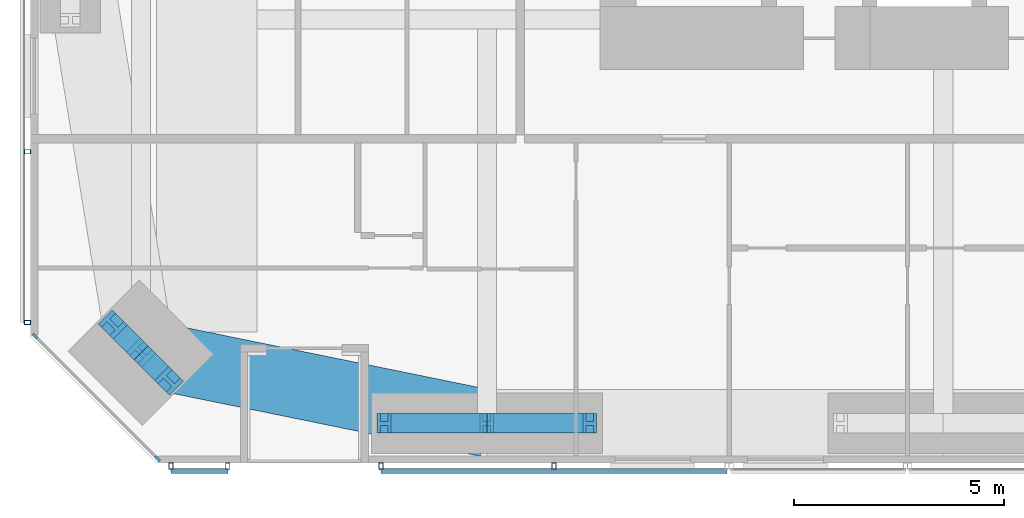
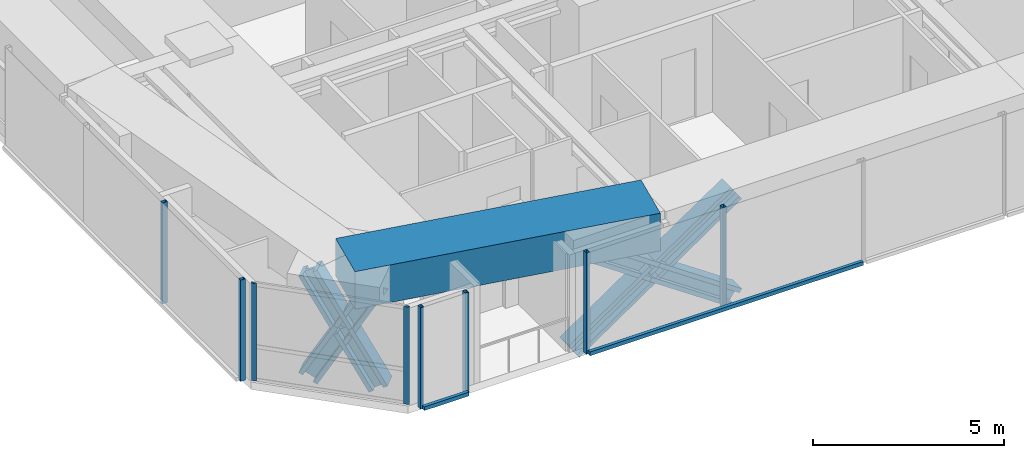
# One storey, part 2 of 23: 18 members, 1 beam, 4 elements without a shape of their own.
"""IFC4 building model written with IfcOpenShell, lengths in metres."""

from ifc_helpers import new_model, si_unit, direction, frame, origin, origin_2d, place, context, subcontext, project, spatial, rectangle, hollow_rectangle, i_section, extrude, material, material_profile, profile_set, type_object, element, aggregate, save


model = new_model("IFC4")

# Units and contexts
model_context = context("Model", 3, precision=1e-05, world=origin(), true_north=direction((0.0, 1.0)))
body_context = subcontext(model_context, "Body", "Model", "MODEL_VIEW")
ifc_project = project(units=[si_unit("LENGTHUNIT", "METRE"), si_unit("AREAUNIT", "SQUARE_METRE"), si_unit("VOLUMEUNIT", "CUBIC_METRE"), si_unit("PLANEANGLEUNIT", "RADIAN"), si_unit("MASSUNIT", "GRAM", prefix="KILO")], contexts=[model_context])

# Site, building, storey
site_placement = place(None, origin())
site = spatial("IfcSite", under=ifc_project, at=site_placement, CompositionType="ELEMENT")
building_placement = place(site_placement, origin())
building = spatial("IfcBuilding", under=site, at=building_placement, Name="Jalousie Tower", CompositionType="ELEMENT")
storey_placement = place(building_placement, frame((0.0, 0.0, 121.60009765625)))
storey = spatial("IfcBuildingStorey", under=building, at=storey_placement, Name="L33", CompositionType="ELEMENT", Elevation=121.60009765625)

# Curtain wall, members
ifc_material_1 = material(Name="Aluminium curtain wall", Category="aluminium")
curtain_wall_type_1 = type_object("IfcCurtainWallType", Name="CORNER WINDOW WALL", PredefinedType="USERDEFINED", material=ifc_material_1)
curtain_wall_1_placement = place(storey_placement, origin())
curtain_wall_1 = element("IfcCurtainWall", 1, at=curtain_wall_1_placement, inside=storey, type_object=curtain_wall_type_1, Name="Corner Window Wall L33 8", ObjectType="CORNER WINDOW WALL", PredefinedType="USERDEFINED")
ifc_material_2 = material(Name="Aluminium mullion", Category="aluminium")
ifc_material_profile_1 = material_profile(ifc_material_2, rectangle(XDim=0.06005859375, YDim=0.14990234375, at=origin_2d()), Name="MULLION 60x150")
ifc_profile_set_1 = profile_set([ifc_material_profile_1], Name="Aluminium mullion")
member_type_1 = type_object("IfcMemberType", Name="CORNER WINDOW WALL MULLION", PredefinedType="MULLION", material=ifc_profile_set_1)
member_1_placement = place(storey_placement, frame((6.108642578125, 3.030029296875, 0.0), z_axis=(0.0, 0.0, 1.0), x_axis=(0.707106781187, 0.707106781187, 0.0)))
member_1 = element("IfcMember", 2, at=member_1_placement, type_object=member_type_1, Name="CW-C mullion 1", PredefinedType="MULLION", context=body_context, shape_type="SweptSolid", body=[
    extrude(rectangle(XDim=0.06005859375, YDim=0.14990234375, at=origin_2d()), origin(), (0.0, 0.0, 1.0), 3.10986328125),
])
member_2_placement = place(storey_placement, frame((9.030029296875, 0.108642578125, 0.0), z_axis=(0.0, 0.0, 1.0), x_axis=(0.707106781187, 0.707106781187, 0.0)))
member_2 = element("IfcMember", 3, at=member_2_placement, type_object=member_type_1, Name="CW-C mullion 2", PredefinedType="MULLION", context=body_context, shape_type="SweptSolid", body=[
    extrude(rectangle(XDim=0.06005859375, YDim=0.14990234375, at=origin_2d()), origin(), (0.0, 0.0, 1.0), 3.10986328125),
])
aggregate(curtain_wall_1, [member_1, member_2])

# Members
ifc_material_3 = material(Name="Steel ASTM A992 Grade 50", Category="steel")
ifc_material_profile_2 = material_profile(ifc_material_3, i_section(OverallWidth=0.472412109375, OverallDepth=0.5791015625, WebThickness=0.094970703125, FlangeThickness=0.1298828125, at=origin_2d()), Name="W14X808")
ifc_profile_set_2 = profile_set([ifc_material_profile_2], Name="Steel ASTM A992 Grade 50")
member_type_2 = type_object("IfcMemberType", Name="PERIMETER BRACE W14X808", PredefinedType="BRACE", material=ifc_profile_set_2)
for number, where, z_axis, x_axis, name in (
    (4, (7.959716796875, 3.302978515625, -0.60009765625), (0.348789058631, -0.348789058631, 0.869880672943), (0.707106781187, 0.707106781187, 0.0), "Perimeter brace 01 L33 part 1"),
    (5, (8.63134765625, 2.63134765625, 1.074951171875), (0.348789058631, -0.348789058631, 0.869880672943), (0.707106781187, 0.707106781187, 0.0), "Perimeter brace 01 L33 part 2"),
    (6, (9.302978515625, 1.959716796875, -0.60009765625), (-0.348789058631, 0.348789058631, 0.869880672943), (-0.707106781187, -0.707106781187, 0.0), "Perimeter brace 01 L33 part 3"),
    (7, (8.63134765625, 2.63134765625, 1.074951171875), (-0.348789058631, 0.348789058631, 0.869880672943), (-0.707106781187, -0.707106781187, 0.0), "Perimeter brace 01 L33 part 4"),
):
    element("IfcMember", number, at=place(storey_placement, frame(where, z_axis=z_axis, x_axis=x_axis)), inside=storey, type_object=member_type_2, Name=name, PredefinedType="BRACE", context=body_context, shape_type="SweptSolid", body=[
        extrude(i_section(OverallWidth=0.472412109375, OverallDepth=0.5791015625, WebThickness=0.094970703125, FlangeThickness=0.1298828125, at=origin_2d()), origin(), (0.0, 0.0, 1.0), 1.925537109375),
    ])
for number, where, z_axis, x_axis, name in (
    (8, (14.425048828125, 0.949951171875, -0.60009765625), (0.825500916831, 0.0, 0.564400776321), (0.0, 1.0, 0.0), "Perimeter brace 02 L33 part 1"),
    (9, (16.875, 0.949951171875, 1.074951171875), (0.825500916831, 0.0, 0.564400776321), (0.0, 1.0, 0.0), "Perimeter brace 02 L33 part 2"),
    (10, (19.324951171875, 0.949951171875, -0.60009765625), (-0.825500916831, 0.0, 0.564400776321), (0.0, -1.0, 0.0), "Perimeter brace 02 L33 part 3"),
    (11, (16.875, 0.949951171875, 1.074951171875), (-0.825500916831, 0.0, 0.564400776321), (0.0, -1.0, 0.0), "Perimeter brace 02 L33 part 4"),
):
    element("IfcMember", number, at=place(storey_placement, frame(where, z_axis=z_axis, x_axis=x_axis)), inside=storey, type_object=member_type_2, Name=name, PredefinedType="BRACE", context=body_context, shape_type="SweptSolid", body=[
        extrude(i_section(OverallWidth=0.472412109375, OverallDepth=0.5791015625, WebThickness=0.094970703125, FlangeThickness=0.1298828125, at=origin_2d()), origin(), (0.0, 0.0, 1.0), 2.9677734375),
    ])

# Beam
ifc_material_4 = material(Name="Concrete f'c 40 MPa", Category="concrete")
ifc_material_profile_3 = material_profile(ifc_material_4, rectangle(XDim=1.60009765625, YDim=1.199951171875, at=origin_2d()), Name="RC 1600x1200")
ifc_profile_set_3 = profile_set([ifc_material_profile_3], Name="Concrete f'c 40 MPa")
beam_type = type_object("IfcBeamType", Name="RC BEAM 1600x1200", PredefinedType="BEAM", material=ifc_profile_set_3)
beam_placement = place(storey_placement, frame((8.63134765625, 2.63134765625, 2.75), z_axis=(0.97982690954, -0.199848010602, 0.0), x_axis=(0.199848010602, 0.97982690954, 0.0)))
element("IfcBeam", 12, at=beam_placement, inside=storey, type_object=beam_type, Name="Edge band beam 01-02 under L34", PredefinedType="BEAM", context=body_context, shape_type="SweptSolid", body=[
    extrude(rectangle(XDim=1.60009765625, YDim=1.199951171875, at=origin_2d()), origin(), (0.0, 0.0, 1.0), 8.413330078125),
])

# Curtain wall, members
ifc_material_5 = material(Name="Perforated aluminium sheet", Category="aluminium")
curtain_wall_type_2 = type_object("IfcCurtainWallType", Name="SOLAR SCREEN SS-1", PredefinedType="USERDEFINED", material=ifc_material_5)
curtain_wall_2_placement = place(storey_placement, origin())
curtain_wall_2 = element("IfcCurtainWall", 13, at=curtain_wall_2_placement, inside=storey, type_object=curtain_wall_type_2, Name="Solar screen L33", ObjectType="SOLAR SCREEN SS-1", PredefinedType="USERDEFINED")
ifc_material_6 = material(Name="Steel ASTM A500 Grade C", Category="steel")
ifc_material_profile_4 = material_profile(ifc_material_6, hollow_rectangle(XDim=0.1015625, YDim=0.15234375, WallThickness=0.00634765625, at=origin_2d()), Name="HSS6X4X1/4")
ifc_profile_set_4 = profile_set([ifc_material_profile_4], Name="Steel ASTM A500 Grade C")
member_type_3 = type_object("IfcMemberType", Name="SOLAR SCREEN SS-1 MULLION", PredefinedType="MULLION", material=ifc_profile_set_4)
member_3_placement = place(storey_placement, frame((9.351318359375, -0.0712890625, -0.1201171875), z_axis=(0.0, 0.0, 1.0), x_axis=(1.0, 0.0, 0.0)))
member_3 = element("IfcMember", 14, at=member_3_placement, type_object=member_type_3, Name="SS1 post 1", PredefinedType="MULLION", context=body_context, shape_type="SweptSolid", body=[
    extrude(hollow_rectangle(XDim=0.1015625, YDim=0.15234375, WallThickness=0.00634765625, at=origin_2d()), origin(), (0.0, 0.0, 1.0), 3.22998046875),
])
member_4_placement = place(storey_placement, frame((10.701416015625, -0.0712890625, -0.1201171875), z_axis=(0.0, 0.0, 1.0), x_axis=(1.0, 0.0, 0.0)))
member_4 = element("IfcMember", 15, at=member_4_placement, type_object=member_type_3, Name="SS1 post 2", PredefinedType="MULLION", context=body_context, shape_type="SweptSolid", body=[
    extrude(hollow_rectangle(XDim=0.1015625, YDim=0.15234375, WallThickness=0.00634765625, at=origin_2d()), origin(), (0.0, 0.0, 1.0), 3.22998046875),
])

curtain_wall_3_placement = place(storey_placement, origin())
curtain_wall_3 = element("IfcCurtainWall", 16, at=curtain_wall_3_placement, inside=storey, type_object=curtain_wall_type_2, Name="Solar screen L33", ObjectType="SOLAR SCREEN SS-1", PredefinedType="USERDEFINED")
member_5_placement = place(storey_placement, frame((14.351318359375, -0.0712890625, -0.1201171875), z_axis=(0.0, 0.0, 1.0), x_axis=(1.0, 0.0, 0.0)))
member_5 = element("IfcMember", 17, at=member_5_placement, type_object=member_type_3, Name="SS1 post 1", PredefinedType="MULLION", context=body_context, shape_type="SweptSolid", body=[
    extrude(hollow_rectangle(XDim=0.1015625, YDim=0.15234375, WallThickness=0.00634765625, at=origin_2d()), origin(), (0.0, 0.0, 1.0), 3.22998046875),
])
member_6_placement = place(storey_placement, frame((18.4755859375, -0.0712890625, -0.1201171875), z_axis=(0.0, 0.0, 1.0), x_axis=(1.0, 0.0, 0.0)))
member_6 = element("IfcMember", 18, at=member_6_placement, type_object=member_type_3, Name="SS1 post 2", PredefinedType="MULLION", context=body_context, shape_type="SweptSolid", body=[
    extrude(hollow_rectangle(XDim=0.1015625, YDim=0.15234375, WallThickness=0.00634765625, at=origin_2d()), origin(), (0.0, 0.0, 1.0), 3.22998046875),
])

curtain_wall_4_placement = place(storey_placement, origin())
curtain_wall_4 = element("IfcCurtainWall", 19, at=curtain_wall_4_placement, inside=storey, type_object=curtain_wall_type_2, Name="Solar screen L33", ObjectType="SOLAR SCREEN SS-1", PredefinedType="USERDEFINED")
member_7_placement = place(storey_placement, frame((5.9287109375, 7.42041015625, -0.1201171875), z_axis=(0.0, 0.0, 1.0), x_axis=(0.0, -1.0, 0.0)))
member_7 = element("IfcMember", 20, at=member_7_placement, type_object=member_type_3, Name="SS1 post 3", PredefinedType="MULLION", context=body_context, shape_type="SweptSolid", body=[
    extrude(hollow_rectangle(XDim=0.1015625, YDim=0.15234375, WallThickness=0.00634765625, at=origin_2d()), origin(), (0.0, 0.0, 1.0), 3.22998046875),
])
member_8_placement = place(storey_placement, frame((5.9287109375, 3.351318359375, -0.1201171875), z_axis=(0.0, 0.0, 1.0), x_axis=(0.0, -1.0, 0.0)))
member_8 = element("IfcMember", 21, at=member_8_placement, type_object=member_type_3, Name="SS1 post 4", PredefinedType="MULLION", context=body_context, shape_type="SweptSolid", body=[
    extrude(hollow_rectangle(XDim=0.1015625, YDim=0.15234375, WallThickness=0.00634765625, at=origin_2d()), origin(), (0.0, 0.0, 1.0), 3.22998046875),
])
aggregate(curtain_wall_4, [member_7, member_8])

# Member
ifc_material_7 = material(Name="Extruded aluminium screen rail", Category="aluminium")
ifc_material_profile_5 = material_profile(ifc_material_7, rectangle(XDim=0.1015625, YDim=0.1201171875, at=origin_2d()), Name="RAIL 102x120")
ifc_profile_set_5 = profile_set([ifc_material_profile_5], Name="Extruded aluminium screen rail")
member_type_4 = type_object("IfcMemberType", Name="SOLAR SCREEN SS-1 TRANSOM", PredefinedType="USERDEFINED", material=ifc_profile_set_5)
member_9_placement = place(storey_placement, frame((9.351318359375, -0.1982421875, -0.06005859375), z_axis=(1.0, 0.0, 0.0), x_axis=(0.0, 1.0, 0.0)))
member_9 = element("IfcMember", 22, at=member_9_placement, type_object=member_type_4, Name="SS1 rail", ObjectType="TRANSOM", PredefinedType="USERDEFINED", context=body_context, shape_type="SweptSolid", body=[
    extrude(rectangle(XDim=0.1015625, YDim=0.1201171875, at=origin_2d()), origin(), (0.0, 0.0, 1.0), 1.35009765625),
])

aggregate(curtain_wall_2, [member_3, member_4, member_9])

member_10_placement = place(storey_placement, frame((14.351318359375, -0.1982421875, -0.06005859375), z_axis=(1.0, 0.0, 0.0), x_axis=(0.0, 1.0, 0.0)))
member_10 = element("IfcMember", 23, at=member_10_placement, type_object=member_type_4, Name="SS1 rail", ObjectType="TRANSOM", PredefinedType="USERDEFINED", context=body_context, shape_type="SweptSolid", body=[
    extrude(rectangle(XDim=0.1015625, YDim=0.1201171875, at=origin_2d()), origin(), (0.0, 0.0, 1.0), 8.248779296875),
])

aggregate(curtain_wall_3, [member_5, member_6, member_10])

save(model, "model.ifc")
